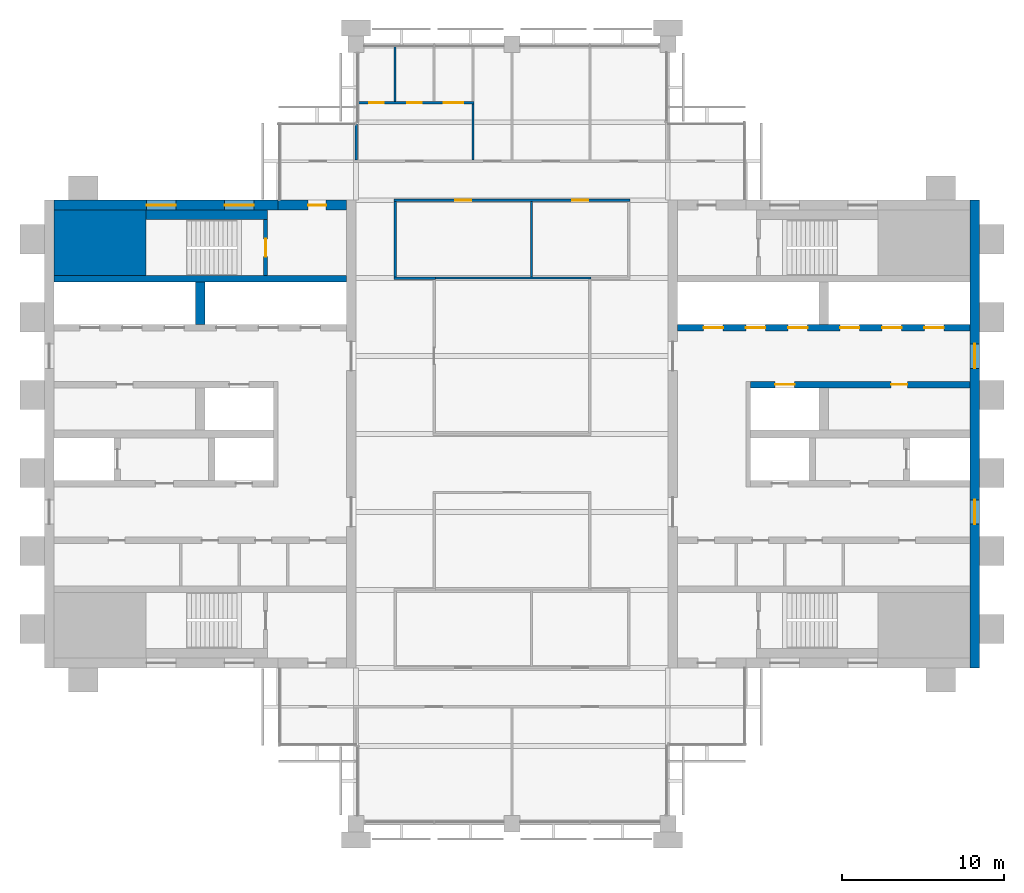
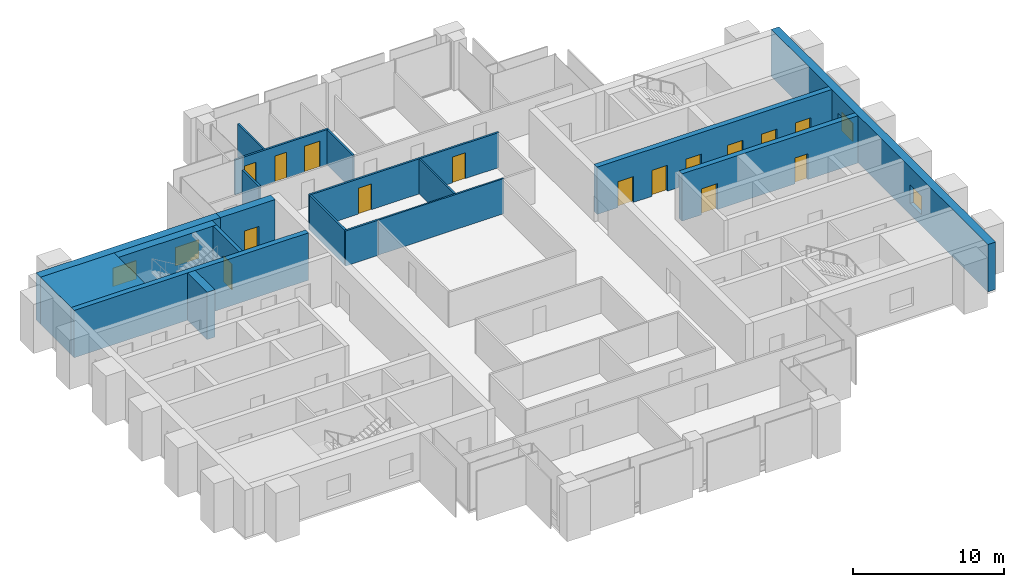
# One storey, part 10 of 13: 19 walls, 15 doors, 4 windows, 19 openings.
"""IFC4 building model written with IfcOpenShell, lengths in metres."""

from ifc_helpers import new_model, si_unit, direction, frame, frame_2d, origin, place, context, subcontext, project, spatial, rectangle, extrude, material, layer, layer_set, type_object, element, fill, save


model = new_model("IFC4")

# Units and contexts
model_context = context("Model", 3, precision=1e-05, world=origin(), true_north=direction((0.0, 1.0)))
body_context = subcontext(model_context, "Body", "Model", "MODEL_VIEW")
ifc_project = project(units=[si_unit("LENGTHUNIT", "METRE"), si_unit("AREAUNIT", "SQUARE_METRE"), si_unit("VOLUMEUNIT", "CUBIC_METRE"), si_unit("PLANEANGLEUNIT", "RADIAN"), si_unit("MASSUNIT", "GRAM", prefix="KILO")], contexts=[model_context])

# Site, building, storey
site_placement = place(None, origin())
site = spatial("IfcSite", under=ifc_project, at=site_placement, CompositionType="ELEMENT")
building_placement = place(site_placement, origin())
building = spatial("IfcBuilding", under=site, at=building_placement, Name="Baori Bourse Tower", CompositionType="ELEMENT")
storey_placement = place(building_placement, frame((0.0, 0.0, 346.300048828125)))
storey = spatial("IfcBuildingStorey", under=building, at=storey_placement, Name="L77", CompositionType="ELEMENT", Elevation=346.300048828125)

# Wall
ifc_material_1 = material(Name="Concrete f'c 40 MPa", Category="concrete")
wall_type_1 = type_object("IfcWallType", Name="Core corner block f'c 40", PredefinedType="SHEAR", material=ifc_material_1)
wall_1_placement = place(storey_placement, frame((0.60009765625, 35.77490234375, 0.0), z_axis=(0.0, 0.0, 1.0), x_axis=(1.0, 0.0, 0.0)))
element("IfcWall", 1, at=wall_1_placement, inside=storey, type_object=wall_type_1, Name="Core wall W23", PredefinedType="SHEAR", context=body_context, shape_type="SweptSolid", body=[
    extrude(rectangle(XDim=5.64990234375, YDim=4.050048828125, at=frame_2d((2.824951171875, 0.0))), origin(), (0.0, 0.0, 1.0), 3.83984375),
])

# Wall, openings, windows
ifc_material_2 = material(Name="Concrete f'c 40 MPa", Category="concrete")
ifc_layer_1 = layer(ifc_material_2, 0.60009765625)
ifc_layer_set_1 = layer_set([ifc_layer_1], Name="Core wall 600 f'c 40")
wall_type_2 = type_object("IfcWallType", Name="Core wall 600 f'c 40", PredefinedType="SHEAR", material=ifc_layer_set_1)
wall_2_placement = place(storey_placement, frame((0.60009765625, 38.10009765625, 0.0), z_axis=(0.0, 0.0, 1.0), x_axis=(1.0, 0.0, 0.0)))
wall_2 = element("IfcWall", 2, at=wall_2_placement, inside=storey, type_object=wall_type_2, Name="Core wall W26", PredefinedType="SHEAR", context=body_context, shape_type="SweptSolid", body=[
    extrude(rectangle(XDim=13.7998046875, YDim=0.60009765625, at=frame_2d((6.89990234375, 0.0))), origin(), (0.0, 0.0, 1.0), 3.83984375),
])
opening_1_placement = place(wall_2_placement, frame((5.699951171875, 0.0, 0.89990234375)))
opening_1 = element("IfcOpeningElement", 3, at=opening_1_placement, cuts=wall_2, Name="Opening L77-KW105", PredefinedType="OPENING", context=body_context, shape_type="SweptSolid", body=[
    extrude(rectangle(XDim=1.800048828125, YDim=1.5, at=frame_2d((0.89990234375, 0.75))), frame((0.0, 0.31005859375, 0.0), z_axis=(0.0, -1.0, 0.0), x_axis=(1.0, 0.0, 0.0)), (0.0, 0.0, 1.0), 0.6201171875),
])
opening_2_placement = place(wall_2_placement, frame((10.5, 0.0, 0.89990234375)))
opening_2 = element("IfcOpeningElement", 4, at=opening_2_placement, cuts=wall_2, Name="Opening L77-KW106", PredefinedType="OPENING", context=body_context, shape_type="SweptSolid", body=[
    extrude(rectangle(XDim=1.800048828125, YDim=1.5, at=frame_2d((0.89990234375, 0.75))), frame((0.0, 0.31005859375, 0.0), z_axis=(0.0, -1.0, 0.0), x_axis=(1.0, 0.0, 0.0)), (0.0, 0.0, 1.0), 0.6201171875),
])
ifc_material_3 = material(Name="Pale anodised aluminium", Category="aluminium")
window_type_1 = type_object("IfcWindowType", Name="Stair window 1800 x 1500", PartitioningType="SINGLE_PANEL", PredefinedType="WINDOW", material=ifc_material_3)
window_1_placement = place(opening_1_placement, origin())
window_1 = element("IfcWindow", 5, at=window_1_placement, inside=storey, type_object=window_type_1, Name="Stair window W L77 5", OverallHeight=1.5, OverallWidth=1.800048828125, PartitioningType="SINGLE_PANEL", PredefinedType="WINDOW", context=body_context, shape_type="SweptSolid", body=[
    extrude(rectangle(XDim=1.800048828125, YDim=1.5, at=frame_2d((0.89990234375, 0.75))), frame((0.0, 0.030029296875, 0.0), z_axis=(0.0, -1.0, 0.0), x_axis=(1.0, 0.0, 0.0)), (0.0, 0.0, 1.0), 0.06005859375),
])
fill(opening_1, window_1)
window_2_placement = place(opening_2_placement, origin())
window_2 = element("IfcWindow", 6, at=window_2_placement, inside=storey, type_object=window_type_1, Name="Stair window W L77 6", OverallHeight=1.5, OverallWidth=1.800048828125, PartitioningType="SINGLE_PANEL", PredefinedType="WINDOW", context=body_context, shape_type="SweptSolid", body=[
    extrude(rectangle(XDim=1.800048828125, YDim=1.5, at=frame_2d((0.89990234375, 0.75))), frame((0.0, 0.030029296875, 0.0), z_axis=(0.0, -1.0, 0.0), x_axis=(1.0, 0.0, 0.0)), (0.0, 0.0, 1.0), 0.06005859375),
])
fill(opening_2, window_2)

# Wall, opening, door
wall_3_placement = place(storey_placement, frame((14.39990234375, 38.10009765625, 0.0), z_axis=(0.0, 0.0, 1.0), x_axis=(1.0, 0.0, 0.0)))
wall_3 = element("IfcWall", 7, at=wall_3_placement, inside=storey, type_object=wall_type_2, Name="Core wall W27", PredefinedType="SHEAR", context=body_context, shape_type="SweptSolid", body=[
    extrude(rectangle(XDim=4.2001953125, YDim=0.60009765625, at=frame_2d((2.10009765625, 0.0))), origin(), (0.0, 0.0, 1.0), 3.83984375),
])
opening_3_placement = place(wall_3_placement, frame((1.85009765625, 0.0, 0.0)))
opening_3 = element("IfcOpeningElement", 8, at=opening_3_placement, cuts=wall_3, Name="Opening L77-D104", PredefinedType="OPENING", context=body_context, shape_type="SweptSolid", body=[
    extrude(rectangle(XDim=1.10009765625, YDim=2.10009765625, at=frame_2d((0.550048828125, 1.050048828125))), frame((0.0, 0.31005859375, 0.0), z_axis=(0.0, -1.0, 0.0), x_axis=(1.0, 0.0, 0.0)), (0.0, 0.0, 1.0), 0.6201171875),
])
ifc_material_4 = material(Name="Painted steel door", Category="steel")
door_type_1 = type_object("IfcDoorType", Name="Stair door 1100", OperationType="SINGLE_SWING_LEFT", PredefinedType="DOOR", material=ifc_material_4)
door_1_placement = place(opening_3_placement, origin())
door_1 = element("IfcDoor", 9, at=door_1_placement, inside=storey, type_object=door_type_1, Name="Stair vestibule door B W L77", OperationType="SINGLE_SWING_LEFT", OverallHeight=2.10009765625, OverallWidth=1.10009765625, PredefinedType="DOOR", context=body_context, shape_type="SweptSolid", body=[
    extrude(rectangle(XDim=1.10009765625, YDim=2.10009765625, at=frame_2d((0.550048828125, 1.050048828125))), frame((0.0, 0.02490234375, 0.0), z_axis=(0.0, -1.0, 0.0), x_axis=(1.0, 0.0, 0.0)), (0.0, 0.0, 1.0), 0.050048828125),
])
fill(opening_3, door_1)

# Wall, openings, windows
wall_4_placement = place(storey_placement, frame((57.300048828125, 38.39990234375, 0.0), z_axis=(0.0, 0.0, 1.0), x_axis=(0.0, -1.0, 0.0)))
wall_4 = element("IfcWall", 10, at=wall_4_placement, inside=storey, type_object=wall_type_2, Name="Core wall E01", PredefinedType="SHEAR", context=body_context, shape_type="SweptSolid", body=[
    extrude(rectangle(XDim=28.7998046875, YDim=0.60009765625, at=frame_2d((14.39990234375, 0.0))), origin(), (0.0, 0.0, 1.0), 3.83984375),
])
opening_4_placement = place(wall_4_placement, frame((18.449951171875, 0.0, 0.89990234375)))
opening_4 = element("IfcOpeningElement", 11, at=opening_4_placement, cuts=wall_4, Name="Opening L77-KW201", PredefinedType="OPENING", context=body_context, shape_type="SweptSolid", body=[
    extrude(rectangle(XDim=1.5, YDim=1.5, at=frame_2d((0.75, 0.75))), frame((0.0, 0.31005859375, 0.0), z_axis=(0.0, -1.0, 0.0), x_axis=(1.0, 0.0, 0.0)), (0.0, 0.0, 1.0), 0.6201171875),
])
opening_5_placement = place(wall_4_placement, frame((8.85009765625, 0.0, 0.89990234375)))
opening_5 = element("IfcOpeningElement", 12, at=opening_5_placement, cuts=wall_4, Name="Opening L77-KW202", PredefinedType="OPENING", context=body_context, shape_type="SweptSolid", body=[
    extrude(rectangle(XDim=1.5, YDim=1.5, at=frame_2d((0.75, 0.75))), frame((0.0, 0.31005859375, 0.0), z_axis=(0.0, -1.0, 0.0), x_axis=(1.0, 0.0, 0.0)), (0.0, 0.0, 1.0), 0.6201171875),
])
ifc_material_5 = material(Name="Pale anodised aluminium", Category="aluminium")
window_type_2 = type_object("IfcWindowType", Name="Lobby window 1500 x 1500", PartitioningType="SINGLE_PANEL", PredefinedType="WINDOW", material=ifc_material_5)
window_3_placement = place(opening_4_placement, origin())
window_3 = element("IfcWindow", 13, at=window_3_placement, inside=storey, type_object=window_type_2, Name="Outer wall window E L77 1", OverallHeight=1.5, OverallWidth=1.5, PartitioningType="SINGLE_PANEL", PredefinedType="WINDOW", context=body_context, shape_type="SweptSolid", body=[
    extrude(rectangle(XDim=1.5, YDim=1.5, at=frame_2d((0.75, 0.75))), frame((0.0, 0.030029296875, 0.0), z_axis=(0.0, -1.0, 0.0), x_axis=(1.0, 0.0, 0.0)), (0.0, 0.0, 1.0), 0.06005859375),
])
fill(opening_4, window_3)
window_4_placement = place(opening_5_placement, origin())
window_4 = element("IfcWindow", 14, at=window_4_placement, inside=storey, type_object=window_type_2, Name="Outer wall window E L77 2", OverallHeight=1.5, OverallWidth=1.5, PartitioningType="SINGLE_PANEL", PredefinedType="WINDOW", context=body_context, shape_type="SweptSolid", body=[
    extrude(rectangle(XDim=1.5, YDim=1.5, at=frame_2d((0.75, 0.75))), frame((0.0, 0.030029296875, 0.0), z_axis=(0.0, -1.0, 0.0), x_axis=(1.0, 0.0, 0.0)), (0.0, 0.0, 1.0), 0.06005859375),
])
fill(opening_5, window_4)

# Wall
ifc_material_6 = material(Name="Gypsum board partition")
ifc_layer_2 = layer(ifc_material_6, 0.14990234375)
ifc_layer_set_2 = layer_set([ifc_layer_2], Name="Corridor partition 150")
wall_type_3 = type_object("IfcWallType", Name="Corridor partition 150", PredefinedType="PARTITIONING", material=ifc_layer_set_2)
wall_5_placement = place(storey_placement, frame((21.52490234375, 33.60009765625, 0.0), z_axis=(0.0, 0.0, 1.0), x_axis=(1.0, 0.0, 0.0)))
element("IfcWall", 15, at=wall_5_placement, inside=storey, type_object=wall_type_3, Name="Partition", PredefinedType="PARTITIONING", context=body_context, shape_type="SweptSolid", body=[
    extrude(rectangle(XDim=2.550048828125, YDim=0.14990234375, at=frame_2d((1.27490234375, 0.0))), origin(), (0.0, 0.0, 1.0), 2.849365234375),
])

# Wall, openings, doors
wall_6_placement = place(storey_placement, frame((21.52490234375, 38.39990234375, 0.0), z_axis=(0.0, 0.0, 1.0), x_axis=(1.0, 0.0, 0.0)))
wall_6 = element("IfcWall", 16, at=wall_6_placement, inside=storey, type_object=wall_type_3, Name="Partition", PredefinedType="PARTITIONING", context=body_context, shape_type="SweptSolid", body=[
    extrude(rectangle(XDim=14.550048828125, YDim=0.14990234375, at=frame_2d((7.27490234375, 0.0))), origin(), (0.0, 0.0, 1.0), 2.849365234375),
])
opening_6_placement = place(wall_6_placement, frame((3.77490234375, 0.0, 0.0)))
opening_6 = element("IfcOpeningElement", 17, at=opening_6_placement, cuts=wall_6, Name="Opening L77-D07", PredefinedType="OPENING", context=body_context, shape_type="SweptSolid", body=[
    extrude(rectangle(XDim=1.0, YDim=2.10009765625, at=frame_2d((0.5, 1.050048828125))), frame((0.0, 0.0849609375, 0.0), z_axis=(0.0, -1.0, 0.0), x_axis=(1.0, 0.0, 0.0)), (0.0, 0.0, 1.0), 0.169921875),
])
opening_7_placement = place(wall_6_placement, frame((10.97509765625, 0.0, 0.0)))
opening_7 = element("IfcOpeningElement", 18, at=opening_7_placement, cuts=wall_6, Name="Opening L77-D08", PredefinedType="OPENING", context=body_context, shape_type="SweptSolid", body=[
    extrude(rectangle(XDim=1.0, YDim=2.10009765625, at=frame_2d((0.5, 1.050048828125))), frame((0.0, 0.0849609375, 0.0), z_axis=(0.0, -1.0, 0.0), x_axis=(1.0, 0.0, 0.0)), (0.0, 0.0, 1.0), 0.169921875),
])
ifc_material_7 = material(Name="Timber door leaf", Category="wood")
door_type_2 = type_object("IfcDoorType", Name="Door 1000 x 2100", OperationType="SINGLE_SWING_LEFT", PredefinedType="DOOR", material=ifc_material_7)
door_2_placement = place(opening_6_placement, origin())
door_2 = element("IfcDoor", 19, at=door_2_placement, inside=storey, type_object=door_type_2, Name="Door", OperationType="SINGLE_SWING_LEFT", OverallHeight=2.10009765625, OverallWidth=1.0, PredefinedType="DOOR", context=body_context, shape_type="SweptSolid", body=[
    extrude(rectangle(XDim=1.0, YDim=2.10009765625, at=frame_2d((0.5, 1.050048828125))), frame((0.0, 0.02490234375, 0.0), z_axis=(0.0, -1.0, 0.0), x_axis=(1.0, 0.0, 0.0)), (0.0, 0.0, 1.0), 0.050048828125),
])
fill(opening_6, door_2)
door_3_placement = place(opening_7_placement, origin())
door_3 = element("IfcDoor", 20, at=door_3_placement, inside=storey, type_object=door_type_2, Name="Door", OperationType="SINGLE_SWING_RIGHT", OverallHeight=2.10009765625, OverallWidth=1.0, PredefinedType="DOOR", context=body_context, shape_type="SweptSolid", body=[
    extrude(rectangle(XDim=1.0, YDim=2.10009765625, at=frame_2d((0.5, 1.050048828125))), frame((0.0, 0.02490234375, 0.0), z_axis=(0.0, -1.0, 0.0), x_axis=(1.0, 0.0, 0.0)), (0.0, 0.0, 1.0), 0.050048828125),
])
fill(opening_7, door_3)

wall_7_placement = place(storey_placement, frame((19.300048828125, 44.39990234375, 0.0), z_axis=(0.0, 0.0, 1.0), x_axis=(1.0, 0.0, 0.0)))
wall_7 = element("IfcWall", 21, at=wall_7_placement, inside=storey, type_object=wall_type_3, Name="Partition", PredefinedType="PARTITIONING", context=body_context, shape_type="SweptSolid", body=[
    extrude(rectangle(XDim=7.175048828125, YDim=0.14990234375, at=frame_2d((3.58740234375, 0.0))), origin(), (0.0, 0.0, 1.0), 2.849365234375),
])
opening_8_placement = place(wall_7_placement, frame((0.699951171875, 0.0, 0.0)))
opening_8 = element("IfcOpeningElement", 22, at=opening_8_placement, cuts=wall_7, Name="Opening L77-D15", PredefinedType="OPENING", context=body_context, shape_type="SweptSolid", body=[
    extrude(rectangle(XDim=0.89990234375, YDim=2.10009765625, at=frame_2d((0.449951171875, 1.050048828125))), frame((0.0, 0.0849609375, 0.0), z_axis=(0.0, -1.0, 0.0), x_axis=(1.0, 0.0, 0.0)), (0.0, 0.0, 1.0), 0.169921875),
])
opening_9_placement = place(wall_7_placement, frame((3.050048828125, 0.0, 0.0)))
opening_9 = element("IfcOpeningElement", 23, at=opening_9_placement, cuts=wall_7, Name="Opening L77-D16", PredefinedType="OPENING", context=body_context, shape_type="SweptSolid", body=[
    extrude(rectangle(XDim=0.89990234375, YDim=2.10009765625, at=frame_2d((0.449951171875, 1.050048828125))), frame((0.0, 0.0849609375, 0.0), z_axis=(0.0, -1.0, 0.0), x_axis=(1.0, 0.0, 0.0)), (0.0, 0.0, 1.0), 0.169921875),
])
opening_10_placement = place(wall_7_placement, frame((5.300048828125, 0.0, 0.0)))
opening_10 = element("IfcOpeningElement", 24, at=opening_10_placement, cuts=wall_7, Name="Opening L77-D17", PredefinedType="OPENING", context=body_context, shape_type="SweptSolid", body=[
    extrude(rectangle(XDim=1.199951171875, YDim=2.10009765625, at=frame_2d((0.60009765625, 1.050048828125))), frame((0.0, 0.0849609375, 0.0), z_axis=(0.0, -1.0, 0.0), x_axis=(1.0, 0.0, 0.0)), (0.0, 0.0, 1.0), 0.169921875),
])
ifc_material_8 = material(Name="Timber door leaf", Category="wood")
door_type_3 = type_object("IfcDoorType", Name="Door 1200 x 2100", OperationType="SINGLE_SWING_LEFT", PredefinedType="DOOR", material=ifc_material_8)
door_4_placement = place(opening_10_placement, origin())
door_4 = element("IfcDoor", 25, at=door_4_placement, inside=storey, type_object=door_type_3, Name="Door", OperationType="SINGLE_SWING_LEFT", OverallHeight=2.10009765625, OverallWidth=1.199951171875, PredefinedType="DOOR", context=body_context, shape_type="SweptSolid", body=[
    extrude(rectangle(XDim=1.199951171875, YDim=2.10009765625, at=frame_2d((0.60009765625, 1.050048828125))), frame((0.0, 0.02490234375, 0.0), z_axis=(0.0, -1.0, 0.0), x_axis=(1.0, 0.0, 0.0)), (0.0, 0.0, 1.0), 0.050048828125),
])
fill(opening_10, door_4)
ifc_material_9 = material(Name="Timber door leaf", Category="wood")
door_type_4 = type_object("IfcDoorType", Name="Door 900 x 2100", OperationType="SINGLE_SWING_LEFT", PredefinedType="DOOR", material=ifc_material_9)
door_5_placement = place(opening_8_placement, origin())
door_5 = element("IfcDoor", 26, at=door_5_placement, inside=storey, type_object=door_type_4, Name="Door", OperationType="SINGLE_SWING_RIGHT", OverallHeight=2.10009765625, OverallWidth=0.89990234375, PredefinedType="DOOR", context=body_context, shape_type="SweptSolid", body=[
    extrude(rectangle(XDim=0.89990234375, YDim=2.10009765625, at=frame_2d((0.449951171875, 1.050048828125))), frame((0.0, 0.02490234375, 0.0), z_axis=(0.0, -1.0, 0.0), x_axis=(1.0, 0.0, 0.0)), (0.0, 0.0, 1.0), 0.050048828125),
])
fill(opening_8, door_5)
door_6_placement = place(opening_9_placement, origin())
door_6 = element("IfcDoor", 27, at=door_6_placement, inside=storey, type_object=door_type_4, Name="Door", OperationType="SINGLE_SWING_RIGHT", OverallHeight=2.10009765625, OverallWidth=0.89990234375, PredefinedType="DOOR", context=body_context, shape_type="SweptSolid", body=[
    extrude(rectangle(XDim=0.89990234375, YDim=2.10009765625, at=frame_2d((0.449951171875, 1.050048828125))), frame((0.0, 0.02490234375, 0.0), z_axis=(0.0, -1.0, 0.0), x_axis=(1.0, 0.0, 0.0)), (0.0, 0.0, 1.0), 0.050048828125),
])
fill(opening_9, door_6)

# Walls
wall_8_placement = place(storey_placement, frame((19.199951171875, 40.875, 0.0), z_axis=(0.0, 0.0, 1.0), x_axis=(0.0, 1.0, 0.0)))
element("IfcWall", 28, at=wall_8_placement, inside=storey, type_object=wall_type_3, Name="Partition", PredefinedType="PARTITIONING", context=body_context, shape_type="SweptSolid", body=[
    extrude(rectangle(XDim=2.22509765625, YDim=0.14990234375, at=frame_2d((1.112548828125, 0.0))), origin(), (0.0, 0.0, 1.0), 2.849365234375),
])
wall_9_placement = place(storey_placement, frame((21.60009765625, 33.675048828125, 0.0), z_axis=(0.0, 0.0, 1.0), x_axis=(0.0, 1.0, 0.0)))
element("IfcWall", 29, at=wall_9_placement, inside=storey, type_object=wall_type_3, Name="Partition", PredefinedType="PARTITIONING", context=body_context, shape_type="SweptSolid", body=[
    extrude(rectangle(XDim=4.64990234375, YDim=0.14990234375, at=frame_2d((2.324951171875, 0.0))), origin(), (0.0, 0.0, 1.0), 2.849365234375),
])
wall_10_placement = place(storey_placement, frame((26.39990234375, 40.875, 0.0), z_axis=(0.0, 0.0, 1.0), x_axis=(0.0, 1.0, 0.0)))
element("IfcWall", 30, at=wall_10_placement, inside=storey, type_object=wall_type_3, Name="Partition", PredefinedType="PARTITIONING", context=body_context, shape_type="SweptSolid", body=[
    extrude(rectangle(XDim=3.449951171875, YDim=0.14990234375, at=frame_2d((1.72509765625, 0.0))), origin(), (0.0, 0.0, 1.0), 2.849365234375),
])
ifc_material_10 = material(Name="Gypsum board partition")
ifc_layer_3 = layer(ifc_material_10, 0.125)
ifc_layer_set_3 = layer_set([ifc_layer_3], Name="Partition 125")
wall_type_4 = type_object("IfcWallType", Name="Partition 125", PredefinedType="PARTITIONING", material=ifc_layer_set_3)
wall_11_placement = place(storey_placement, frame((24.074951171875, 33.60009765625, 0.0), z_axis=(0.0, 0.0, 1.0), x_axis=(1.0, 0.0, 0.0)))
element("IfcWall", 31, at=wall_11_placement, inside=storey, type_object=wall_type_4, Name="Partition", PredefinedType="PARTITIONING", context=body_context, shape_type="SweptSolid", body=[
    extrude(rectangle(XDim=9.60009765625, YDim=0.125, at=frame_2d((4.800048828125, 0.0))), origin(), (0.0, 0.0, 1.0), 2.849365234375),
])
wall_12_placement = place(storey_placement, frame((21.60009765625, 44.47509765625, 0.0), z_axis=(0.0, 0.0, 1.0), x_axis=(0.0, 1.0, 0.0)))
element("IfcWall", 32, at=wall_12_placement, inside=storey, type_object=wall_type_4, Name="Partition", PredefinedType="PARTITIONING", context=body_context, shape_type="SweptSolid", body=[
    extrude(rectangle(XDim=3.4248046875, YDim=0.125, at=frame_2d((1.71240234375, 0.0))), origin(), (0.0, 0.0, 1.0), 2.849365234375),
])
wall_13_placement = place(storey_placement, frame((30.0, 33.66259765625, 0.0), z_axis=(0.0, 0.0, 1.0), x_axis=(0.0, 1.0, 0.0)))
element("IfcWall", 33, at=wall_13_placement, inside=storey, type_object=wall_type_4, Name="Partition", PredefinedType="PARTITIONING", context=body_context, shape_type="SweptSolid", body=[
    extrude(rectangle(XDim=4.662353515625, YDim=0.125, at=frame_2d((2.3310546875, 0.0))), origin(), (0.0, 0.0, 1.0), 2.849365234375),
])

# Wall, opening, door
ifc_material_11 = material(Name="Concrete f'c 40 MPa", Category="concrete")
ifc_layer_4 = layer(ifc_material_11, 0.25)
ifc_layer_set_4 = layer_set([ifc_layer_4], Name="Shaft wall 250 f'c 40")
wall_type_5 = type_object("IfcWallType", Name="Shaft wall 250 f'c 40", PredefinedType="SHEAR", material=ifc_layer_set_4)
wall_14_placement = place(storey_placement, frame((13.625, 33.75, 0.0), z_axis=(0.0, 0.0, 1.0), x_axis=(0.0, 1.0, 0.0)))
wall_14 = element("IfcWall", 34, at=wall_14_placement, inside=storey, type_object=wall_type_5, Name="Core wall W24", PredefinedType="SHEAR", context=body_context, shape_type="SweptSolid", body=[
    extrude(rectangle(XDim=3.449951171875, YDim=0.25, at=frame_2d((1.72509765625, 0.0))), origin(), (0.0, 0.0, 1.0), 3.83984375),
])
opening_11_placement = place(wall_14_placement, frame((1.175048828125, 0.0, 0.0)))
opening_11 = element("IfcOpeningElement", 35, at=opening_11_placement, cuts=wall_14, Name="Opening L77-D103", PredefinedType="OPENING", context=body_context, shape_type="SweptSolid", body=[
    extrude(rectangle(XDim=1.10009765625, YDim=2.10009765625, at=frame_2d((0.550048828125, 1.050048828125))), frame((0.0, 0.135009765625, 0.0), z_axis=(0.0, -1.0, 0.0), x_axis=(1.0, 0.0, 0.0)), (0.0, 0.0, 1.0), 0.27001953125),
])
door_7_placement = place(opening_11_placement, origin())
door_7 = element("IfcDoor", 36, at=door_7_placement, inside=storey, type_object=door_type_1, Name="Stair door B W L77", OperationType="SINGLE_SWING_LEFT", OverallHeight=2.10009765625, OverallWidth=1.10009765625, PredefinedType="DOOR", context=body_context, shape_type="SweptSolid", body=[
    extrude(rectangle(XDim=1.10009765625, YDim=2.10009765625, at=frame_2d((0.550048828125, 1.050048828125))), frame((0.0, 0.02490234375, 0.0), z_axis=(0.0, -1.0, 0.0), x_axis=(1.0, 0.0, 0.0)), (0.0, 0.0, 1.0), 0.050048828125),
])
fill(opening_11, door_7)

# Wall
ifc_material_12 = material(Name="Concrete f'c 40 MPa", Category="concrete")
ifc_layer_5 = layer(ifc_material_12, 0.39990234375)
ifc_layer_set_5 = layer_set([ifc_layer_5], Name="Shaft wall 400 f'c 40")
wall_type_6 = type_object("IfcWallType", Name="Shaft wall 400 f'c 40", PredefinedType="SHEAR", material=ifc_layer_set_5)
wall_15_placement = place(storey_placement, frame((0.60009765625, 33.550048828125, 0.0), z_axis=(0.0, 0.0, 1.0), x_axis=(1.0, 0.0, 0.0)))
element("IfcWall", 37, at=wall_15_placement, inside=storey, type_object=wall_type_6, Name="Core wall W22", PredefinedType="SHEAR", context=body_context, shape_type="SweptSolid", body=[
    extrude(rectangle(XDim=18.0, YDim=0.39990234375, at=frame_2d((9.0, 0.0))), origin(), (0.0, 0.0, 1.0), 3.83984375),
])

# Wall, openings, doors
wall_16_placement = place(storey_placement, frame((43.5, 27.050048828125, 0.0), z_axis=(0.0, 0.0, 1.0), x_axis=(1.0, 0.0, 0.0)))
wall_16 = element("IfcWall", 38, at=wall_16_placement, inside=storey, type_object=wall_type_6, Name="Core wall E19", PredefinedType="SHEAR", context=body_context, shape_type="SweptSolid", body=[
    extrude(rectangle(XDim=13.5, YDim=0.39990234375, at=frame_2d((6.75, 0.0))), origin(), (0.0, 0.0, 1.0), 3.83984375),
])
opening_12_placement = place(wall_16_placement, frame((8.64990234375, 0.0, 0.0)))
opening_12 = element("IfcOpeningElement", 39, at=opening_12_placement, cuts=wall_16, Name="Opening L77-D213", PredefinedType="OPENING", context=body_context, shape_type="SweptSolid", body=[
    extrude(rectangle(XDim=1.0, YDim=2.10009765625, at=frame_2d((0.5, 1.050048828125))), frame((0.0, 0.2099609375, 0.0), z_axis=(0.0, -1.0, 0.0), x_axis=(1.0, 0.0, 0.0)), (0.0, 0.0, 1.0), 0.419921875),
])
opening_13_placement = place(wall_16_placement, frame((1.5, 0.0, 0.0)))
opening_13 = element("IfcOpeningElement", 40, at=opening_13_placement, cuts=wall_16, Name="Opening L77-D220", PredefinedType="OPENING", context=body_context, shape_type="SweptSolid", body=[
    extrude(rectangle(XDim=1.199951171875, YDim=2.10009765625, at=frame_2d((0.60009765625, 1.050048828125))), frame((0.0, 0.2099609375, 0.0), z_axis=(0.0, -1.0, 0.0), x_axis=(1.0, 0.0, 0.0)), (0.0, 0.0, 1.0), 0.419921875),
])
ifc_material_13 = material(Name="Painted steel door", Category="steel")
door_type_5 = type_object("IfcDoorType", Name="Core door 1000", OperationType="SINGLE_SWING_LEFT", PredefinedType="DOOR", material=ifc_material_13)
door_8_placement = place(opening_12_placement, origin())
door_8 = element("IfcDoor", 41, at=door_8_placement, inside=storey, type_object=door_type_5, Name="Copy Room door E L77", OperationType="SINGLE_SWING_LEFT", OverallHeight=2.10009765625, OverallWidth=1.0, PredefinedType="DOOR", context=body_context, shape_type="SweptSolid", body=[
    extrude(rectangle(XDim=1.0, YDim=2.10009765625, at=frame_2d((0.5, 1.050048828125))), frame((0.0, 0.02490234375, 0.0), z_axis=(0.0, -1.0, 0.0), x_axis=(1.0, 0.0, 0.0)), (0.0, 0.0, 1.0), 0.050048828125),
])
fill(opening_12, door_8)
ifc_material_14 = material(Name="Stainless steel door", Category="steel")
door_type_6 = type_object("IfcDoorType", Name="Lift landing door", OperationType="DOUBLE_DOOR_SLIDING", PredefinedType="DOOR", material=ifc_material_14)
door_9_placement = place(opening_13_placement, origin())
door_9 = element("IfcDoor", 42, at=door_9_placement, inside=storey, type_object=door_type_6, Name="Lift landing door SV1 E L77", OperationType="DOUBLE_DOOR_SLIDING", OverallHeight=2.10009765625, OverallWidth=1.199951171875, PredefinedType="DOOR", context=body_context, shape_type="SweptSolid", body=[
    extrude(rectangle(XDim=1.199951171875, YDim=2.10009765625, at=frame_2d((0.60009765625, 1.050048828125))), frame((0.0, 0.02490234375, 0.0), z_axis=(0.0, -1.0, 0.0), x_axis=(1.0, 0.0, 0.0)), (0.0, 0.0, 1.0), 0.050048828125),
])
fill(opening_13, door_9)

wall_17_placement = place(storey_placement, frame((39.0, 30.550048828125, 0.0), z_axis=(0.0, 0.0, 1.0), x_axis=(1.0, 0.0, 0.0)))
wall_17 = element("IfcWall", 43, at=wall_17_placement, inside=storey, type_object=wall_type_6, Name="Core wall E20", PredefinedType="SHEAR", context=body_context, shape_type="SweptSolid", body=[
    extrude(rectangle(XDim=18.0, YDim=0.39990234375, at=frame_2d((9.0, 0.0))), origin(), (0.0, 0.0, 1.0), 3.83984375),
])
opening_14_placement = place(wall_17_placement, frame((15.199951171875, 0.0, 0.0)))
opening_14 = element("IfcOpeningElement", 44, at=opening_14_placement, cuts=wall_17, Name="Opening L77-D214", PredefinedType="OPENING", context=body_context, shape_type="SweptSolid", body=[
    extrude(rectangle(XDim=1.199951171875, YDim=2.10009765625, at=frame_2d((0.60009765625, 1.050048828125))), frame((0.0, 0.2099609375, 0.0), z_axis=(0.0, -1.0, 0.0), x_axis=(1.0, 0.0, 0.0)), (0.0, 0.0, 1.0), 0.419921875),
])
opening_15_placement = place(wall_17_placement, frame((12.60009765625, 0.0, 0.0)))
opening_15 = element("IfcOpeningElement", 45, at=opening_15_placement, cuts=wall_17, Name="Opening L77-D215", PredefinedType="OPENING", context=body_context, shape_type="SweptSolid", body=[
    extrude(rectangle(XDim=1.199951171875, YDim=2.10009765625, at=frame_2d((0.60009765625, 1.050048828125))), frame((0.0, 0.2099609375, 0.0), z_axis=(0.0, -1.0, 0.0), x_axis=(1.0, 0.0, 0.0)), (0.0, 0.0, 1.0), 0.419921875),
])
opening_16_placement = place(wall_17_placement, frame((10.0, 0.0, 0.0)))
opening_16 = element("IfcOpeningElement", 46, at=opening_16_placement, cuts=wall_17, Name="Opening L77-D216", PredefinedType="OPENING", context=body_context, shape_type="SweptSolid", body=[
    extrude(rectangle(XDim=1.199951171875, YDim=2.10009765625, at=frame_2d((0.60009765625, 1.050048828125))), frame((0.0, 0.2099609375, 0.0), z_axis=(0.0, -1.0, 0.0), x_axis=(1.0, 0.0, 0.0)), (0.0, 0.0, 1.0), 0.419921875),
])
opening_17_placement = place(wall_17_placement, frame((6.800048828125, 0.0, 0.0)))
opening_17 = element("IfcOpeningElement", 47, at=opening_17_placement, cuts=wall_17, Name="Opening L77-D217", PredefinedType="OPENING", context=body_context, shape_type="SweptSolid", body=[
    extrude(rectangle(XDim=1.199951171875, YDim=2.10009765625, at=frame_2d((0.60009765625, 1.050048828125))), frame((0.0, 0.2099609375, 0.0), z_axis=(0.0, -1.0, 0.0), x_axis=(1.0, 0.0, 0.0)), (0.0, 0.0, 1.0), 0.419921875),
])
opening_18_placement = place(wall_17_placement, frame((4.199951171875, 0.0, 0.0)))
opening_18 = element("IfcOpeningElement", 48, at=opening_18_placement, cuts=wall_17, Name="Opening L77-D218", PredefinedType="OPENING", context=body_context, shape_type="SweptSolid", body=[
    extrude(rectangle(XDim=1.199951171875, YDim=2.10009765625, at=frame_2d((0.60009765625, 1.050048828125))), frame((0.0, 0.2099609375, 0.0), z_axis=(0.0, -1.0, 0.0), x_axis=(1.0, 0.0, 0.0)), (0.0, 0.0, 1.0), 0.419921875),
])
opening_19_placement = place(wall_17_placement, frame((1.60009765625, 0.0, 0.0)))
opening_19 = element("IfcOpeningElement", 49, at=opening_19_placement, cuts=wall_17, Name="Opening L77-D219", PredefinedType="OPENING", context=body_context, shape_type="SweptSolid", body=[
    extrude(rectangle(XDim=1.199951171875, YDim=2.10009765625, at=frame_2d((0.60009765625, 1.050048828125))), frame((0.0, 0.2099609375, 0.0), z_axis=(0.0, -1.0, 0.0), x_axis=(1.0, 0.0, 0.0)), (0.0, 0.0, 1.0), 0.419921875),
])
door_10_placement = place(opening_14_placement, origin())
door_10 = element("IfcDoor", 50, at=door_10_placement, inside=storey, type_object=door_type_6, Name="Lift landing door HR1 E L77", OperationType="DOUBLE_DOOR_SLIDING", OverallHeight=2.10009765625, OverallWidth=1.199951171875, PredefinedType="DOOR", context=body_context, shape_type="SweptSolid", body=[
    extrude(rectangle(XDim=1.199951171875, YDim=2.10009765625, at=frame_2d((0.60009765625, 1.050048828125))), frame((0.0, 0.02490234375, 0.0), z_axis=(0.0, -1.0, 0.0), x_axis=(1.0, 0.0, 0.0)), (0.0, 0.0, 1.0), 0.050048828125),
])
fill(opening_14, door_10)
door_11_placement = place(opening_15_placement, origin())
door_11 = element("IfcDoor", 51, at=door_11_placement, inside=storey, type_object=door_type_6, Name="Lift landing door HR2 E L77", OperationType="DOUBLE_DOOR_SLIDING", OverallHeight=2.10009765625, OverallWidth=1.199951171875, PredefinedType="DOOR", context=body_context, shape_type="SweptSolid", body=[
    extrude(rectangle(XDim=1.199951171875, YDim=2.10009765625, at=frame_2d((0.60009765625, 1.050048828125))), frame((0.0, 0.02490234375, 0.0), z_axis=(0.0, -1.0, 0.0), x_axis=(1.0, 0.0, 0.0)), (0.0, 0.0, 1.0), 0.050048828125),
])
fill(opening_15, door_11)
door_12_placement = place(opening_16_placement, origin())
door_12 = element("IfcDoor", 52, at=door_12_placement, inside=storey, type_object=door_type_6, Name="Lift landing door HR3 E L77", OperationType="DOUBLE_DOOR_SLIDING", OverallHeight=2.10009765625, OverallWidth=1.199951171875, PredefinedType="DOOR", context=body_context, shape_type="SweptSolid", body=[
    extrude(rectangle(XDim=1.199951171875, YDim=2.10009765625, at=frame_2d((0.60009765625, 1.050048828125))), frame((0.0, 0.02490234375, 0.0), z_axis=(0.0, -1.0, 0.0), x_axis=(1.0, 0.0, 0.0)), (0.0, 0.0, 1.0), 0.050048828125),
])
fill(opening_16, door_12)
door_13_placement = place(opening_17_placement, origin())
door_13 = element("IfcDoor", 53, at=door_13_placement, inside=storey, type_object=door_type_6, Name="Lift landing door HR4 E L77", OperationType="DOUBLE_DOOR_SLIDING", OverallHeight=2.10009765625, OverallWidth=1.199951171875, PredefinedType="DOOR", context=body_context, shape_type="SweptSolid", body=[
    extrude(rectangle(XDim=1.199951171875, YDim=2.10009765625, at=frame_2d((0.60009765625, 1.050048828125))), frame((0.0, 0.02490234375, 0.0), z_axis=(0.0, -1.0, 0.0), x_axis=(1.0, 0.0, 0.0)), (0.0, 0.0, 1.0), 0.050048828125),
])
fill(opening_17, door_13)
door_14_placement = place(opening_18_placement, origin())
door_14 = element("IfcDoor", 54, at=door_14_placement, inside=storey, type_object=door_type_6, Name="Lift landing door HR5 E L77", OperationType="DOUBLE_DOOR_SLIDING", OverallHeight=2.10009765625, OverallWidth=1.199951171875, PredefinedType="DOOR", context=body_context, shape_type="SweptSolid", body=[
    extrude(rectangle(XDim=1.199951171875, YDim=2.10009765625, at=frame_2d((0.60009765625, 1.050048828125))), frame((0.0, 0.02490234375, 0.0), z_axis=(0.0, -1.0, 0.0), x_axis=(1.0, 0.0, 0.0)), (0.0, 0.0, 1.0), 0.050048828125),
])
fill(opening_18, door_14)
door_15_placement = place(opening_19_placement, origin())
door_15 = element("IfcDoor", 55, at=door_15_placement, inside=storey, type_object=door_type_6, Name="Lift landing door HR6 E L77", OperationType="DOUBLE_DOOR_SLIDING", OverallHeight=2.10009765625, OverallWidth=1.199951171875, PredefinedType="DOOR", context=body_context, shape_type="SweptSolid", body=[
    extrude(rectangle(XDim=1.199951171875, YDim=2.10009765625, at=frame_2d((0.60009765625, 1.050048828125))), frame((0.0, 0.02490234375, 0.0), z_axis=(0.0, -1.0, 0.0), x_axis=(1.0, 0.0, 0.0)), (0.0, 0.0, 1.0), 0.050048828125),
])
fill(opening_19, door_15)

# Walls
ifc_material_15 = material(Name="Concrete f'c 40 MPa", Category="concrete")
ifc_layer_6 = layer(ifc_material_15, 0.60009765625)
ifc_layer_set_6 = layer_set([ifc_layer_6], Name="Shaft wall 600 f'c 40")
wall_type_7 = type_object("IfcWallType", Name="Shaft wall 600 f'c 40", PredefinedType="SHEAR", material=ifc_layer_set_6)
wall_18_placement = place(storey_placement, frame((9.60009765625, 30.75, 0.0), z_axis=(0.0, 0.0, 1.0), x_axis=(0.0, 1.0, 0.0)))
element("IfcWall", 56, at=wall_18_placement, inside=storey, type_object=wall_type_7, Name="Core wall W21", PredefinedType="SHEAR", context=body_context, shape_type="SweptSolid", body=[
    extrude(rectangle(XDim=2.60009765625, YDim=0.60009765625, at=frame_2d((1.300048828125, 0.0))), origin(), (0.0, 0.0, 1.0), 3.83984375),
])
wall_19_placement = place(storey_placement, frame((6.25, 37.5, 0.0), z_axis=(0.0, 0.0, 1.0), x_axis=(1.0, 0.0, 0.0)))
element("IfcWall", 57, at=wall_19_placement, inside=storey, type_object=wall_type_7, Name="Core wall W25", PredefinedType="SHEAR", context=body_context, shape_type="SweptSolid", body=[
    extrude(rectangle(XDim=7.5, YDim=0.60009765625, at=frame_2d((3.75, 0.0))), origin(), (0.0, 0.0, 1.0), 3.83984375),
])

save(model, "model.ifc")
